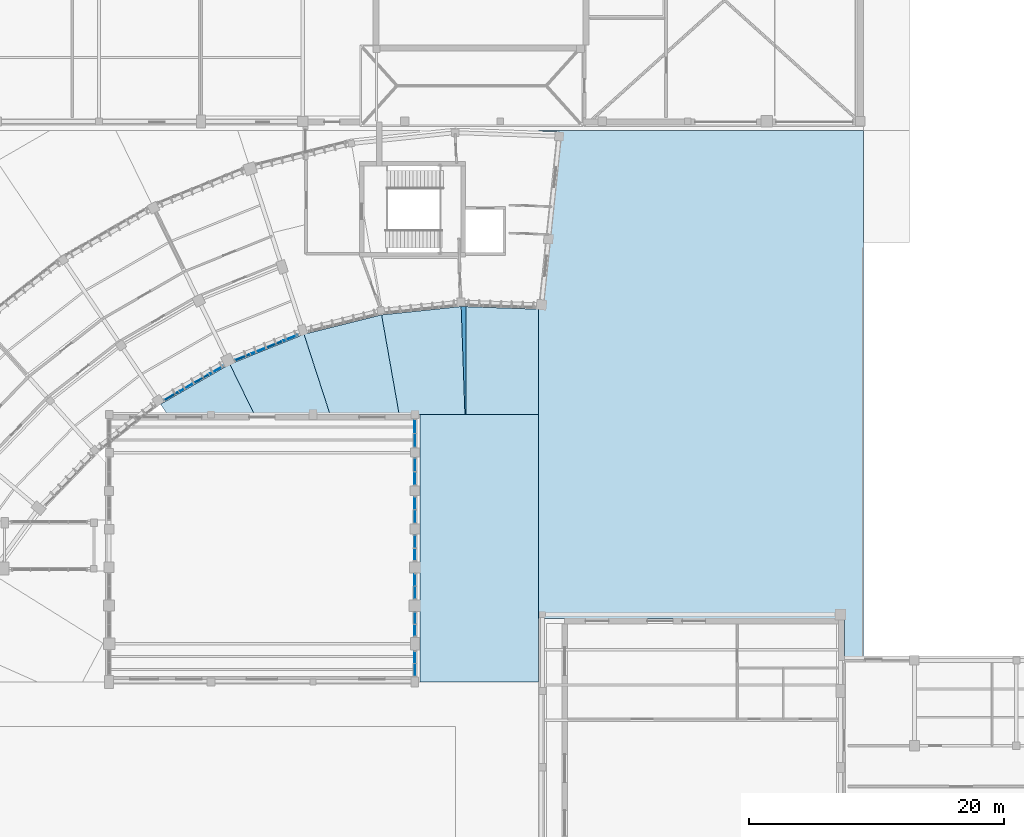
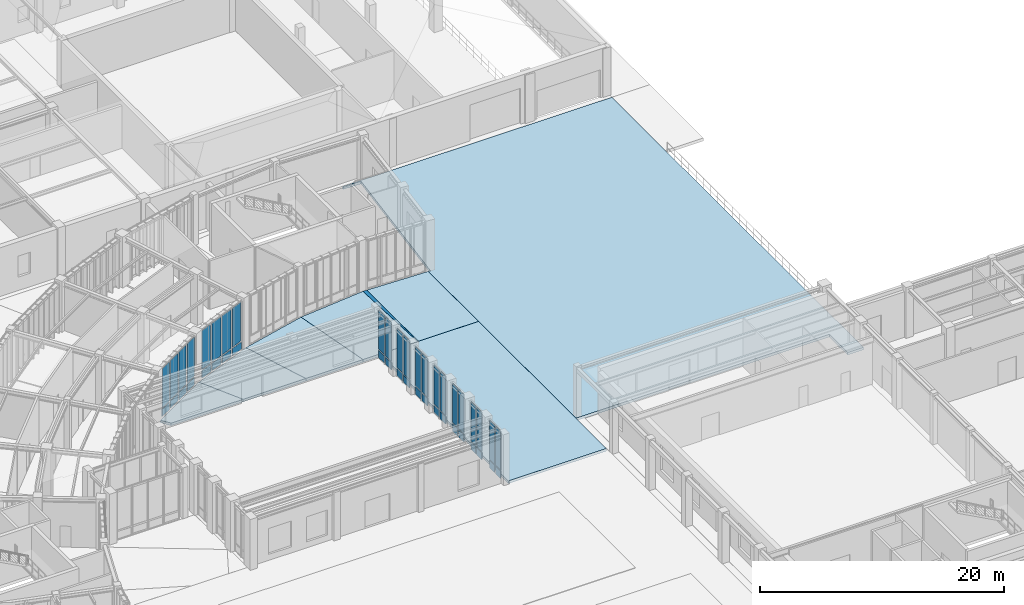
# One storey, part 25 of 68: 44 plates, 8 slabs, 9 elements without a shape of their own.
"""IFC4 building model written with IfcOpenShell, lengths in metres."""

from ifc_helpers import new_model, si_unit, direction, frame, origin, origin_2d, place, context, subcontext, project, spatial, polyline, rectangle, outline, extrude, material, layer, layer_set, type_object, element, aggregate, save


model = new_model("IFC4")

# Units and contexts
model_context = context("Model", 3, precision=1e-05, world=origin(), true_north=direction((0.0, 1.0)))
body_context = subcontext(model_context, "Body", "Model", "MODEL_VIEW")
ifc_project = project(units=[si_unit("LENGTHUNIT", "METRE"), si_unit("AREAUNIT", "SQUARE_METRE"), si_unit("VOLUMEUNIT", "CUBIC_METRE"), si_unit("PLANEANGLEUNIT", "RADIAN"), si_unit("MASSUNIT", "GRAM", prefix="KILO"), si_unit("THERMODYNAMICTEMPERATUREUNIT", "KELVIN"), si_unit("POWERUNIT", "WATT")], contexts=[model_context])

# Site, building, storey
site_placement = place(None, origin())
site = spatial("IfcSite", under=ifc_project, at=site_placement, CompositionType="ELEMENT")
building_placement = place(site_placement, origin())
building = spatial("IfcBuilding", under=site, at=building_placement, Name="Solvatero Civic Police Headquarters", CompositionType="ELEMENT")
storey_placement = place(building_placement, origin())
storey = spatial("IfcBuildingStorey", under=building, at=storey_placement, Name="L00", CompositionType="ELEMENT", Elevation=0.0)

# Curtain wall, plates
ifc_material_1 = material(Name="Anodized Bronze Aluminium", Category="aluminium")
ifc_layer_1 = layer(ifc_material_1, 0.179931640625)
ifc_layer_set_1 = layer_set([ifc_layer_1], Name="Anodized Bronze Aluminium")
curtain_wall_type_1 = type_object("IfcCurtainWallType", Name="CW-ARC-IN", PredefinedType="USERDEFINED", material=ifc_layer_set_1)
curtain_wall_1_placement = place(storey_placement, origin())
curtain_wall_1 = element("IfcCurtainWall", 1, at=curtain_wall_1_placement, inside=storey, type_object=curtain_wall_type_1, Name="Curtain Wall CW-R2-L00-ARC-IN-B04", ObjectType="UNITISED", PredefinedType="USERDEFINED")
ifc_material_2 = material(Name="Triple Low-E Laminated Glass", Category="glass")
ifc_layer_2 = layer(ifc_material_2, 0.0380859375)
ifc_layer_set_2 = layer_set([ifc_layer_2], Name="Triple Low-E Laminated Glass")
plate_type_1 = type_object("IfcPlateType", Name="CWP-GLZ-38", PredefinedType="CURTAIN_PANEL", material=ifc_layer_set_2)
plate_1_placement = place(storey_placement, frame((79.03564453125, 68.4990234375, 0.91015625), z_axis=(0.0, 0.0, 1.0), x_axis=(-0.927183854567, -0.374606593416, 0.0)))
plate_1 = element("IfcPlate", 2, at=plate_1_placement, type_object=plate_type_1, Name="CW-R2-L00-ARC-IN-B04 Vision Glazing 1", PredefinedType="CURTAIN_PANEL", context=body_context, shape_type="SweptSolid", body=[
    extrude(rectangle(XDim=1.175537109375, YDim=0.0380859375, at=origin_2d()), origin(), (0.0, 0.0, 1.0), 3.909912109375),
])
plate_2_placement = place(storey_placement, frame((76.522216796875, 67.4833984375, 0.91015625), z_axis=(0.0, 0.0, 1.0), x_axis=(-0.927183854567, -0.374606593416, 0.0)))
plate_2 = element("IfcPlate", 3, at=plate_2_placement, type_object=plate_type_1, Name="CW-R2-L00-ARC-IN-B04 Vision Glazing 3", PredefinedType="CURTAIN_PANEL", context=body_context, shape_type="SweptSolid", body=[
    extrude(rectangle(XDim=1.175537109375, YDim=0.0380859375, at=origin_2d()), origin(), (0.0, 0.0, 1.0), 3.909912109375),
])

curtain_wall_2_placement = place(storey_placement, origin())
curtain_wall_2 = element("IfcCurtainWall", 4, at=curtain_wall_2_placement, inside=storey, type_object=curtain_wall_type_1, Name="Curtain Wall CW-R2-L00-ARC-IN-B05", ObjectType="UNITISED", PredefinedType="USERDEFINED")
plate_3_placement = place(storey_placement, frame((73.239501953125, 65.9873046875, 0.91015625), z_axis=(0.0, 0.0, 1.0), x_axis=(-0.866025403784, -0.5, 0.0)))
plate_3 = element("IfcPlate", 5, at=plate_3_placement, type_object=plate_type_1, Name="CW-R2-L00-ARC-IN-B05 Vision Glazing 1", PredefinedType="CURTAIN_PANEL", context=body_context, shape_type="SweptSolid", body=[
    extrude(rectangle(XDim=1.18798828125, YDim=0.0380859375, at=origin_2d()), origin(), (0.0, 0.0, 1.0), 3.909912109375),
])
plate_4_placement = place(storey_placement, frame((70.8701171875, 64.619140625, 0.91015625), z_axis=(0.0, 0.0, 1.0), x_axis=(-0.866025403784, -0.5, 0.0)))
plate_4 = element("IfcPlate", 6, at=plate_4_placement, type_object=plate_type_1, Name="CW-R2-L00-ARC-IN-B05 Vision Glazing 3", PredefinedType="CURTAIN_PANEL", context=body_context, shape_type="SweptSolid", body=[
    extrude(rectangle(XDim=1.18798828125, YDim=0.0380859375, at=origin_2d()), origin(), (0.0, 0.0, 1.0), 3.909912109375),
])

# Curtain wall, plate
ifc_layer_3 = layer(ifc_material_1, 0.179931640625)
ifc_layer_set_3 = layer_set([ifc_layer_3], Name="Anodized Bronze Aluminium")
curtain_wall_type_2 = type_object("IfcCurtainWallType", Name="CW-HAL-GLZ", PredefinedType="USERDEFINED", material=ifc_layer_set_3)
curtain_wall_3_placement = place(storey_placement, origin())
curtain_wall_3 = element("IfcCurtainWall", 7, at=curtain_wall_3_placement, inside=storey, type_object=curtain_wall_type_2, Name="Curtain Wall CW-R2-L00-V2-E-B1", ObjectType="UNITISED", PredefinedType="USERDEFINED")
plate_5_placement = place(storey_placement, frame((88.800048828125, 42.445068359375, 0.91015625), z_axis=(0.0, 0.0, 1.0), x_axis=(0.0, 1.0, 0.0)))
plate_5 = element("IfcPlate", 8, at=plate_5_placement, type_object=plate_type_1, Name="CW-R2-L00-V2-E-B1 Vision Glazing 1", PredefinedType="CURTAIN_PANEL", context=body_context, shape_type="SweptSolid", body=[
    extrude(rectangle(XDim=0.830078125, YDim=0.0380859375, at=origin_2d()), origin(), (0.0, 0.0, 1.0), 3.889892578125),
])

curtain_wall_4_placement = place(storey_placement, origin())
curtain_wall_4 = element("IfcCurtainWall", 9, at=curtain_wall_4_placement, inside=storey, type_object=curtain_wall_type_2, Name="Curtain Wall CW-R2-L00-V2-E-B2", ObjectType="UNITISED", PredefinedType="USERDEFINED")
plate_6_placement = place(storey_placement, frame((88.800048828125, 46.517578125, 0.91015625), z_axis=(0.0, 0.0, 1.0), x_axis=(0.0, 1.0, 0.0)))
plate_6 = element("IfcPlate", 10, at=plate_6_placement, type_object=plate_type_1, Name="CW-R2-L00-V2-E-B2 Vision Glazing 2", PredefinedType="CURTAIN_PANEL", context=body_context, shape_type="SweptSolid", body=[
    extrude(rectangle(XDim=0.804931640625, YDim=0.0380859375, at=origin_2d()), origin(), (0.0, 0.0, 1.0), 3.889892578125),
])

curtain_wall_5_placement = place(storey_placement, origin())
curtain_wall_5 = element("IfcCurtainWall", 11, at=curtain_wall_5_placement, inside=storey, type_object=curtain_wall_type_2, Name="Curtain Wall CW-R2-L00-V2-E-B3", ObjectType="UNITISED", PredefinedType="USERDEFINED")
plate_7_placement = place(storey_placement, frame((88.800048828125, 48.501220703125, 0.91015625), z_axis=(0.0, 0.0, 1.0), x_axis=(0.0, 1.0, 0.0)))
plate_7 = element("IfcPlate", 12, at=plate_7_placement, type_object=plate_type_1, Name="CW-R2-L00-V2-E-B3 Vision Glazing 1", PredefinedType="CURTAIN_PANEL", context=body_context, shape_type="SweptSolid", body=[
    extrude(rectangle(XDim=0.842529296875, YDim=0.0380859375, at=origin_2d()), origin(), (0.0, 0.0, 1.0), 3.889892578125),
])

curtain_wall_6_placement = place(storey_placement, origin())
curtain_wall_6 = element("IfcCurtainWall", 13, at=curtain_wall_6_placement, inside=storey, type_object=curtain_wall_type_2, Name="Curtain Wall CW-R2-L00-V2-E-B4", ObjectType="UNITISED", PredefinedType="USERDEFINED")
plate_8_placement = place(storey_placement, frame((88.800048828125, 52.536376953125, 0.91015625), z_axis=(0.0, 0.0, 1.0), x_axis=(0.0, 1.0, 0.0)))
plate_8 = element("IfcPlate", 14, at=plate_8_placement, type_object=plate_type_1, Name="CW-R2-L00-V2-E-B4 Vision Glazing 2", PredefinedType="CURTAIN_PANEL", context=body_context, shape_type="SweptSolid", body=[
    extrude(rectangle(XDim=0.867431640625, YDim=0.0380859375, at=origin_2d()), origin(), (0.0, 0.0, 1.0), 3.889892578125),
])

curtain_wall_7_placement = place(storey_placement, origin())
curtain_wall_7 = element("IfcCurtainWall", 15, at=curtain_wall_7_placement, inside=storey, type_object=curtain_wall_type_2, Name="Curtain Wall CW-R2-L00-V2-E-B5", ObjectType="UNITISED", PredefinedType="USERDEFINED")
plate_9_placement = place(storey_placement, frame((88.800048828125, 54.476318359375, 0.91015625), z_axis=(0.0, 0.0, 1.0), x_axis=(0.0, 1.0, 0.0)))
plate_9 = element("IfcPlate", 16, at=plate_9_placement, type_object=plate_type_1, Name="CW-R2-L00-V2-E-B5 Vision Glazing 1", PredefinedType="CURTAIN_PANEL", context=body_context, shape_type="SweptSolid", body=[
    extrude(rectangle(XDim=0.892578125, YDim=0.0380859375, at=origin_2d()), origin(), (0.0, 0.0, 1.0), 3.889892578125),
])

curtain_wall_8_placement = place(storey_placement, origin())
curtain_wall_8 = element("IfcCurtainWall", 17, at=curtain_wall_8_placement, inside=storey, type_object=curtain_wall_type_2, Name="Curtain Wall CW-R2-L00-V2-E-B6", ObjectType="UNITISED", PredefinedType="USERDEFINED")
plate_10_placement = place(storey_placement, frame((88.800048828125, 58.561279296875, 0.91015625), z_axis=(0.0, 0.0, 1.0), x_axis=(0.0, 1.0, 0.0)))
plate_10 = element("IfcPlate", 18, at=plate_10_placement, type_object=plate_type_1, Name="CW-R2-L00-V2-E-B6 Vision Glazing 2", PredefinedType="CURTAIN_PANEL", context=body_context, shape_type="SweptSolid", body=[
    extrude(rectangle(XDim=0.91748046875, YDim=0.0380859375, at=origin_2d()), origin(), (0.0, 0.0, 1.0), 3.889892578125),
])

curtain_wall_9_placement = place(storey_placement, origin())
curtain_wall_9 = element("IfcCurtainWall", 19, at=curtain_wall_9_placement, inside=storey, type_object=curtain_wall_type_2, Name="Curtain Wall CW-R2-L00-V2-E-B7", ObjectType="UNITISED", PredefinedType="USERDEFINED")
plate_11_placement = place(storey_placement, frame((88.800048828125, 60.451416015625, 0.91015625), z_axis=(0.0, 0.0, 1.0), x_axis=(0.0, 1.0, 0.0)))
plate_11 = element("IfcPlate", 20, at=plate_11_placement, type_object=plate_type_1, Name="CW-R2-L00-V2-E-B7 Vision Glazing 1", PredefinedType="CURTAIN_PANEL", context=body_context, shape_type="SweptSolid", body=[
    extrude(rectangle(XDim=0.9423828125, YDim=0.0380859375, at=origin_2d()), origin(), (0.0, 0.0, 1.0), 3.889892578125),
])

# Plate
ifc_material_3 = material(Name="Acoustic Ballistic Laminated Glass", Category="glass")
ifc_layer_4 = layer(ifc_material_3, 0.0439453125)
ifc_layer_set_4 = layer_set([ifc_layer_4], Name="Acoustic Ballistic Laminated Glass")
plate_type_2 = type_object("IfcPlateType", Name="CWP-GLZ-44", PredefinedType="CURTAIN_PANEL", material=ifc_layer_set_4)
plate_12_placement = place(storey_placement, frame((77.77880859375, 67.9912109375, 0.91015625), z_axis=(0.0, 0.0, 1.0), x_axis=(-0.927183854567, -0.374606593416, 0.0)))
plate_12 = element("IfcPlate", 21, at=plate_12_placement, type_object=plate_type_2, Name="CW-R2-L00-ARC-IN-B04 Vision Glazing 2", PredefinedType="CURTAIN_PANEL", context=body_context, shape_type="SweptSolid", body=[
    extrude(rectangle(XDim=1.175537109375, YDim=0.0439453125, at=origin_2d()), origin(), (0.0, 0.0, 1.0), 3.909912109375),
])

plate_13_placement = place(storey_placement, frame((75.265380859375, 66.9755859375, 0.91015625), z_axis=(0.0, 0.0, 1.0), x_axis=(-0.927183854567, -0.374606593416, 0.0)))
plate_13 = element("IfcPlate", 22, at=plate_13_placement, type_object=plate_type_2, Name="CW-R2-L00-ARC-IN-B04 Vision Glazing 4", PredefinedType="CURTAIN_PANEL", context=body_context, shape_type="SweptSolid", body=[
    extrude(rectangle(XDim=1.175537109375, YDim=0.0439453125, at=origin_2d()), origin(), (0.0, 0.0, 1.0), 3.909912109375),
])

plate_14_placement = place(storey_placement, frame((72.0546875, 65.30322265625, 0.91015625), z_axis=(0.0, 0.0, 1.0), x_axis=(-0.866025403784, -0.5, 0.0)))
plate_14 = element("IfcPlate", 23, at=plate_14_placement, type_object=plate_type_2, Name="CW-R2-L00-ARC-IN-B05 Vision Glazing 2", PredefinedType="CURTAIN_PANEL", context=body_context, shape_type="SweptSolid", body=[
    extrude(rectangle(XDim=1.18798828125, YDim=0.0439453125, at=origin_2d()), origin(), (0.0, 0.0, 1.0), 3.909912109375),
])

plate_15_placement = place(storey_placement, frame((69.685302734375, 63.935302734375, 0.91015625), z_axis=(0.0, 0.0, 1.0), x_axis=(-0.866025403784, -0.5, 0.0)))
plate_15 = element("IfcPlate", 24, at=plate_15_placement, type_object=plate_type_2, Name="CW-R2-L00-ARC-IN-B05 Vision Glazing 4", PredefinedType="CURTAIN_PANEL", context=body_context, shape_type="SweptSolid", body=[
    extrude(rectangle(XDim=1.18798828125, YDim=0.0439453125, at=origin_2d()), origin(), (0.0, 0.0, 1.0), 3.909912109375),
])

plate_16_placement = place(storey_placement, frame((88.800048828125, 43.455078125, 0.91015625), z_axis=(0.0, 0.0, 1.0), x_axis=(0.0, 1.0, 0.0)))
plate_16 = element("IfcPlate", 25, at=plate_16_placement, type_object=plate_type_2, Name="CW-R2-L00-V2-E-B1 Vision Glazing 2", PredefinedType="CURTAIN_PANEL", context=body_context, shape_type="SweptSolid", body=[
    extrude(rectangle(XDim=0.830078125, YDim=0.0439453125, at=origin_2d()), origin(), (0.0, 0.0, 1.0), 3.889892578125),
])

plate_17_placement = place(storey_placement, frame((88.800048828125, 45.532470703125, 0.91015625), z_axis=(0.0, 0.0, 1.0), x_axis=(0.0, 1.0, 0.0)))
plate_17 = element("IfcPlate", 26, at=plate_17_placement, type_object=plate_type_2, Name="CW-R2-L00-V2-E-B2 Vision Glazing 1", PredefinedType="CURTAIN_PANEL", context=body_context, shape_type="SweptSolid", body=[
    extrude(rectangle(XDim=0.804931640625, YDim=0.0439453125, at=origin_2d()), origin(), (0.0, 0.0, 1.0), 3.889892578125),
])

plate_18_placement = place(storey_placement, frame((88.800048828125, 49.523681640625, 0.91015625), z_axis=(0.0, 0.0, 1.0), x_axis=(0.0, 1.0, 0.0)))
plate_18 = element("IfcPlate", 27, at=plate_18_placement, type_object=plate_type_2, Name="CW-R2-L00-V2-E-B3 Vision Glazing 2", PredefinedType="CURTAIN_PANEL", context=body_context, shape_type="SweptSolid", body=[
    extrude(rectangle(XDim=0.842529296875, YDim=0.0439453125, at=origin_2d()), origin(), (0.0, 0.0, 1.0), 3.889892578125),
])

plate_19_placement = place(storey_placement, frame((88.800048828125, 51.48876953125, 0.91015625), z_axis=(0.0, 0.0, 1.0), x_axis=(0.0, 1.0, 0.0)))
plate_19 = element("IfcPlate", 28, at=plate_19_placement, type_object=plate_type_2, Name="CW-R2-L00-V2-E-B4 Vision Glazing 1", PredefinedType="CURTAIN_PANEL", context=body_context, shape_type="SweptSolid", body=[
    extrude(rectangle(XDim=0.867431640625, YDim=0.0439453125, at=origin_2d()), origin(), (0.0, 0.0, 1.0), 3.889892578125),
])

plate_20_placement = place(storey_placement, frame((88.800048828125, 55.548583984375, 0.91015625), z_axis=(0.0, 0.0, 1.0), x_axis=(0.0, 1.0, 0.0)))
plate_20 = element("IfcPlate", 29, at=plate_20_placement, type_object=plate_type_2, Name="CW-R2-L00-V2-E-B5 Vision Glazing 2", PredefinedType="CURTAIN_PANEL", context=body_context, shape_type="SweptSolid", body=[
    extrude(rectangle(XDim=0.892578125, YDim=0.0439453125, at=origin_2d()), origin(), (0.0, 0.0, 1.0), 3.889892578125),
])

plate_21_placement = place(storey_placement, frame((88.800048828125, 57.463623046875, 0.91015625), z_axis=(0.0, 0.0, 1.0), x_axis=(0.0, 1.0, 0.0)))
plate_21 = element("IfcPlate", 30, at=plate_21_placement, type_object=plate_type_2, Name="CW-R2-L00-V2-E-B6 Vision Glazing 1", PredefinedType="CURTAIN_PANEL", context=body_context, shape_type="SweptSolid", body=[
    extrude(rectangle(XDim=0.91748046875, YDim=0.0439453125, at=origin_2d()), origin(), (0.0, 0.0, 1.0), 3.889892578125),
])

plate_22_placement = place(storey_placement, frame((88.800048828125, 61.57373046875, 0.91015625), z_axis=(0.0, 0.0, 1.0), x_axis=(0.0, 1.0, 0.0)))
plate_22 = element("IfcPlate", 31, at=plate_22_placement, type_object=plate_type_2, Name="CW-R2-L00-V2-E-B7 Vision Glazing 2", PredefinedType="CURTAIN_PANEL", context=body_context, shape_type="SweptSolid", body=[
    extrude(rectangle(XDim=0.9423828125, YDim=0.0439453125, at=origin_2d()), origin(), (0.0, 0.0, 1.0), 3.889892578125),
])

ifc_material_4 = material(Name="Insulated Bronze Aluminium Spandrel", Category="aluminium")
ifc_layer_5 = layer(ifc_material_4, 0.06005859375)
ifc_layer_set_5 = layer_set([ifc_layer_5], Name="Insulated Bronze Aluminium Spandrel")
plate_type_3 = type_object("IfcPlateType", Name="CWP-SPN-60", PredefinedType="CURTAIN_PANEL", material=ifc_layer_set_5)
plate_23_placement = place(storey_placement, frame((79.03564453125, 68.4990234375, 0.06005859375), z_axis=(0.0, 0.0, 1.0), x_axis=(-0.927183854567, -0.374606593416, 0.0)))
plate_23 = element("IfcPlate", 32, at=plate_23_placement, type_object=plate_type_3, Name="CW-R2-L00-ARC-IN-B04 Spandrel Panel 1", PredefinedType="CURTAIN_PANEL", context=body_context, shape_type="SweptSolid", body=[
    extrude(rectangle(XDim=1.175537109375, YDim=0.06005859375, at=origin_2d()), origin(), (0.0, 0.0, 1.0), 0.72998046875),
])

plate_24_placement = place(storey_placement, frame((76.522216796875, 67.4833984375, 0.06005859375), z_axis=(0.0, 0.0, 1.0), x_axis=(-0.927183854567, -0.374606593416, 0.0)))
plate_24 = element("IfcPlate", 33, at=plate_24_placement, type_object=plate_type_3, Name="CW-R2-L00-ARC-IN-B04 Spandrel Panel 3", PredefinedType="CURTAIN_PANEL", context=body_context, shape_type="SweptSolid", body=[
    extrude(rectangle(XDim=1.175537109375, YDim=0.06005859375, at=origin_2d()), origin(), (0.0, 0.0, 1.0), 0.72998046875),
])

plate_25_placement = place(storey_placement, frame((73.239501953125, 65.9873046875, 0.06005859375), z_axis=(0.0, 0.0, 1.0), x_axis=(-0.866025403784, -0.5, 0.0)))
plate_25 = element("IfcPlate", 34, at=plate_25_placement, type_object=plate_type_3, Name="CW-R2-L00-ARC-IN-B05 Spandrel Panel 1", PredefinedType="CURTAIN_PANEL", context=body_context, shape_type="SweptSolid", body=[
    extrude(rectangle(XDim=1.18798828125, YDim=0.06005859375, at=origin_2d()), origin(), (0.0, 0.0, 1.0), 0.72998046875),
])

plate_26_placement = place(storey_placement, frame((70.8701171875, 64.619140625, 0.06005859375), z_axis=(0.0, 0.0, 1.0), x_axis=(-0.866025403784, -0.5, 0.0)))
plate_26 = element("IfcPlate", 35, at=plate_26_placement, type_object=plate_type_3, Name="CW-R2-L00-ARC-IN-B05 Spandrel Panel 3", PredefinedType="CURTAIN_PANEL", context=body_context, shape_type="SweptSolid", body=[
    extrude(rectangle(XDim=1.18798828125, YDim=0.06005859375, at=origin_2d()), origin(), (0.0, 0.0, 1.0), 0.72998046875),
])

plate_27_placement = place(storey_placement, frame((88.800048828125, 42.445068359375, 0.06005859375), z_axis=(0.0, 0.0, 1.0), x_axis=(0.0, 1.0, 0.0)))
plate_27 = element("IfcPlate", 36, at=plate_27_placement, type_object=plate_type_3, Name="CW-R2-L00-V2-E-B1 Spandrel Panel 1", PredefinedType="CURTAIN_PANEL", context=body_context, shape_type="SweptSolid", body=[
    extrude(rectangle(XDim=0.830078125, YDim=0.06005859375, at=origin_2d()), origin(), (0.0, 0.0, 1.0), 0.72998046875),
])

plate_28_placement = place(storey_placement, frame((88.800048828125, 46.517578125, 0.06005859375), z_axis=(0.0, 0.0, 1.0), x_axis=(0.0, 1.0, 0.0)))
plate_28 = element("IfcPlate", 37, at=plate_28_placement, type_object=plate_type_3, Name="CW-R2-L00-V2-E-B2 Spandrel Panel 2", PredefinedType="CURTAIN_PANEL", context=body_context, shape_type="SweptSolid", body=[
    extrude(rectangle(XDim=0.804931640625, YDim=0.06005859375, at=origin_2d()), origin(), (0.0, 0.0, 1.0), 0.72998046875),
])

plate_29_placement = place(storey_placement, frame((88.800048828125, 48.501220703125, 0.06005859375), z_axis=(0.0, 0.0, 1.0), x_axis=(0.0, 1.0, 0.0)))
plate_29 = element("IfcPlate", 38, at=plate_29_placement, type_object=plate_type_3, Name="CW-R2-L00-V2-E-B3 Spandrel Panel 1", PredefinedType="CURTAIN_PANEL", context=body_context, shape_type="SweptSolid", body=[
    extrude(rectangle(XDim=0.842529296875, YDim=0.06005859375, at=origin_2d()), origin(), (0.0, 0.0, 1.0), 0.72998046875),
])

plate_30_placement = place(storey_placement, frame((88.800048828125, 52.536376953125, 0.06005859375), z_axis=(0.0, 0.0, 1.0), x_axis=(0.0, 1.0, 0.0)))
plate_30 = element("IfcPlate", 39, at=plate_30_placement, type_object=plate_type_3, Name="CW-R2-L00-V2-E-B4 Spandrel Panel 2", PredefinedType="CURTAIN_PANEL", context=body_context, shape_type="SweptSolid", body=[
    extrude(rectangle(XDim=0.867431640625, YDim=0.06005859375, at=origin_2d()), origin(), (0.0, 0.0, 1.0), 0.72998046875),
])

plate_31_placement = place(storey_placement, frame((88.800048828125, 54.476318359375, 0.06005859375), z_axis=(0.0, 0.0, 1.0), x_axis=(0.0, 1.0, 0.0)))
plate_31 = element("IfcPlate", 40, at=plate_31_placement, type_object=plate_type_3, Name="CW-R2-L00-V2-E-B5 Spandrel Panel 1", PredefinedType="CURTAIN_PANEL", context=body_context, shape_type="SweptSolid", body=[
    extrude(rectangle(XDim=0.892578125, YDim=0.06005859375, at=origin_2d()), origin(), (0.0, 0.0, 1.0), 0.72998046875),
])

plate_32_placement = place(storey_placement, frame((88.800048828125, 58.561279296875, 0.06005859375), z_axis=(0.0, 0.0, 1.0), x_axis=(0.0, 1.0, 0.0)))
plate_32 = element("IfcPlate", 41, at=plate_32_placement, type_object=plate_type_3, Name="CW-R2-L00-V2-E-B6 Spandrel Panel 2", PredefinedType="CURTAIN_PANEL", context=body_context, shape_type="SweptSolid", body=[
    extrude(rectangle(XDim=0.91748046875, YDim=0.06005859375, at=origin_2d()), origin(), (0.0, 0.0, 1.0), 0.72998046875),
])

plate_33_placement = place(storey_placement, frame((88.800048828125, 60.451416015625, 0.06005859375), z_axis=(0.0, 0.0, 1.0), x_axis=(0.0, 1.0, 0.0)))
plate_33 = element("IfcPlate", 42, at=plate_33_placement, type_object=plate_type_3, Name="CW-R2-L00-V2-E-B7 Spandrel Panel 1", PredefinedType="CURTAIN_PANEL", context=body_context, shape_type="SweptSolid", body=[
    extrude(rectangle(XDim=0.9423828125, YDim=0.06005859375, at=origin_2d()), origin(), (0.0, 0.0, 1.0), 0.72998046875),
])

ifc_material_5 = material(Name="Limestone Veneer Spandrel Panel", Category="masonry")
ifc_layer_6 = layer(ifc_material_5, 0.074951171875)
ifc_layer_set_6 = layer_set([ifc_layer_6], Name="Limestone Veneer Spandrel Panel")
plate_type_4 = type_object("IfcPlateType", Name="CWP-SPN-75", PredefinedType="CURTAIN_PANEL", material=ifc_layer_set_6)
plate_34_placement = place(storey_placement, frame((77.77880859375, 67.9912109375, 0.06005859375), z_axis=(0.0, 0.0, 1.0), x_axis=(-0.927183854567, -0.374606593416, 0.0)))
plate_34 = element("IfcPlate", 43, at=plate_34_placement, type_object=plate_type_4, Name="CW-R2-L00-ARC-IN-B04 Spandrel Panel 2", PredefinedType="CURTAIN_PANEL", context=body_context, shape_type="SweptSolid", body=[
    extrude(rectangle(XDim=1.175537109375, YDim=0.074951171875, at=origin_2d()), origin(), (0.0, 0.0, 1.0), 0.72998046875),
])

plate_35_placement = place(storey_placement, frame((75.265380859375, 66.9755859375, 0.06005859375), z_axis=(0.0, 0.0, 1.0), x_axis=(-0.927183854567, -0.374606593416, 0.0)))
plate_35 = element("IfcPlate", 44, at=plate_35_placement, type_object=plate_type_4, Name="CW-R2-L00-ARC-IN-B04 Spandrel Panel 4", PredefinedType="CURTAIN_PANEL", context=body_context, shape_type="SweptSolid", body=[
    extrude(rectangle(XDim=1.175537109375, YDim=0.074951171875, at=origin_2d()), origin(), (0.0, 0.0, 1.0), 0.72998046875),
])

aggregate(curtain_wall_1, [plate_23, plate_1, plate_34, plate_12, plate_24, plate_2, plate_35, plate_13])

plate_36_placement = place(storey_placement, frame((72.0546875, 65.30322265625, 0.06005859375), z_axis=(0.0, 0.0, 1.0), x_axis=(-0.866025403784, -0.5, 0.0)))
plate_36 = element("IfcPlate", 45, at=plate_36_placement, type_object=plate_type_4, Name="CW-R2-L00-ARC-IN-B05 Spandrel Panel 2", PredefinedType="CURTAIN_PANEL", context=body_context, shape_type="SweptSolid", body=[
    extrude(rectangle(XDim=1.18798828125, YDim=0.074951171875, at=origin_2d()), origin(), (0.0, 0.0, 1.0), 0.72998046875),
])

plate_37_placement = place(storey_placement, frame((69.685302734375, 63.935302734375, 0.06005859375), z_axis=(0.0, 0.0, 1.0), x_axis=(-0.866025403784, -0.5, 0.0)))
plate_37 = element("IfcPlate", 46, at=plate_37_placement, type_object=plate_type_4, Name="CW-R2-L00-ARC-IN-B05 Spandrel Panel 4", PredefinedType="CURTAIN_PANEL", context=body_context, shape_type="SweptSolid", body=[
    extrude(rectangle(XDim=1.18798828125, YDim=0.074951171875, at=origin_2d()), origin(), (0.0, 0.0, 1.0), 0.72998046875),
])

aggregate(curtain_wall_2, [plate_25, plate_3, plate_36, plate_14, plate_26, plate_4, plate_37, plate_15])

plate_38_placement = place(storey_placement, frame((88.800048828125, 43.455078125, 0.06005859375), z_axis=(0.0, 0.0, 1.0), x_axis=(0.0, 1.0, 0.0)))
plate_38 = element("IfcPlate", 47, at=plate_38_placement, type_object=plate_type_4, Name="CW-R2-L00-V2-E-B1 Spandrel Panel 2", PredefinedType="CURTAIN_PANEL", context=body_context, shape_type="SweptSolid", body=[
    extrude(rectangle(XDim=0.830078125, YDim=0.074951171875, at=origin_2d()), origin(), (0.0, 0.0, 1.0), 0.72998046875),
])

aggregate(curtain_wall_3, [plate_27, plate_5, plate_38, plate_16])

plate_39_placement = place(storey_placement, frame((88.800048828125, 45.532470703125, 0.06005859375), z_axis=(0.0, 0.0, 1.0), x_axis=(0.0, 1.0, 0.0)))
plate_39 = element("IfcPlate", 48, at=plate_39_placement, type_object=plate_type_4, Name="CW-R2-L00-V2-E-B2 Spandrel Panel 1", PredefinedType="CURTAIN_PANEL", context=body_context, shape_type="SweptSolid", body=[
    extrude(rectangle(XDim=0.804931640625, YDim=0.074951171875, at=origin_2d()), origin(), (0.0, 0.0, 1.0), 0.72998046875),
])

aggregate(curtain_wall_4, [plate_39, plate_17, plate_28, plate_6])

plate_40_placement = place(storey_placement, frame((88.800048828125, 49.523681640625, 0.06005859375), z_axis=(0.0, 0.0, 1.0), x_axis=(0.0, 1.0, 0.0)))
plate_40 = element("IfcPlate", 49, at=plate_40_placement, type_object=plate_type_4, Name="CW-R2-L00-V2-E-B3 Spandrel Panel 2", PredefinedType="CURTAIN_PANEL", context=body_context, shape_type="SweptSolid", body=[
    extrude(rectangle(XDim=0.842529296875, YDim=0.074951171875, at=origin_2d()), origin(), (0.0, 0.0, 1.0), 0.72998046875),
])

aggregate(curtain_wall_5, [plate_29, plate_7, plate_40, plate_18])

plate_41_placement = place(storey_placement, frame((88.800048828125, 51.48876953125, 0.06005859375), z_axis=(0.0, 0.0, 1.0), x_axis=(0.0, 1.0, 0.0)))
plate_41 = element("IfcPlate", 50, at=plate_41_placement, type_object=plate_type_4, Name="CW-R2-L00-V2-E-B4 Spandrel Panel 1", PredefinedType="CURTAIN_PANEL", context=body_context, shape_type="SweptSolid", body=[
    extrude(rectangle(XDim=0.867431640625, YDim=0.074951171875, at=origin_2d()), origin(), (0.0, 0.0, 1.0), 0.72998046875),
])

aggregate(curtain_wall_6, [plate_41, plate_19, plate_30, plate_8])

plate_42_placement = place(storey_placement, frame((88.800048828125, 55.548583984375, 0.06005859375), z_axis=(0.0, 0.0, 1.0), x_axis=(0.0, 1.0, 0.0)))
plate_42 = element("IfcPlate", 51, at=plate_42_placement, type_object=plate_type_4, Name="CW-R2-L00-V2-E-B5 Spandrel Panel 2", PredefinedType="CURTAIN_PANEL", context=body_context, shape_type="SweptSolid", body=[
    extrude(rectangle(XDim=0.892578125, YDim=0.074951171875, at=origin_2d()), origin(), (0.0, 0.0, 1.0), 0.72998046875),
])

aggregate(curtain_wall_7, [plate_31, plate_9, plate_42, plate_20])

plate_43_placement = place(storey_placement, frame((88.800048828125, 57.463623046875, 0.06005859375), z_axis=(0.0, 0.0, 1.0), x_axis=(0.0, 1.0, 0.0)))
plate_43 = element("IfcPlate", 52, at=plate_43_placement, type_object=plate_type_4, Name="CW-R2-L00-V2-E-B6 Spandrel Panel 1", PredefinedType="CURTAIN_PANEL", context=body_context, shape_type="SweptSolid", body=[
    extrude(rectangle(XDim=0.91748046875, YDim=0.074951171875, at=origin_2d()), origin(), (0.0, 0.0, 1.0), 0.72998046875),
])

aggregate(curtain_wall_8, [plate_43, plate_21, plate_32, plate_10])

plate_44_placement = place(storey_placement, frame((88.800048828125, 61.57373046875, 0.06005859375), z_axis=(0.0, 0.0, 1.0), x_axis=(0.0, 1.0, 0.0)))
plate_44 = element("IfcPlate", 53, at=plate_44_placement, type_object=plate_type_4, Name="CW-R2-L00-V2-E-B7 Spandrel Panel 2", PredefinedType="CURTAIN_PANEL", context=body_context, shape_type="SweptSolid", body=[
    extrude(rectangle(XDim=0.9423828125, YDim=0.074951171875, at=origin_2d()), origin(), (0.0, 0.0, 1.0), 0.72998046875),
])

aggregate(curtain_wall_9, [plate_33, plate_11, plate_44, plate_22])

# Slabs
ifc_material_6 = material(Name="Concrete C35/45", Category="concrete")
ifc_layer_7 = layer(ifc_material_6, 0.260009765625)
ifc_layer_set_7 = layer_set([ifc_layer_7], Name="Concrete C35/45")
slab_type = type_object("IfcSlabType", Name="SLB-TERR-260", PredefinedType="FLOOR", material=ifc_layer_set_7)
slab_1_placement = place(storey_placement, frame((0.0, 0.0, -0.260009765625)))
element("IfcSlab", 54, at=slab_1_placement, inside=storey, type_object=slab_type, Name="L00 Walkable roof terrace slab SLB-L00-COURT-SE", PredefinedType="FLOOR", context=body_context, shape_type="SweptSolid", body=[
    extrude(outline(polyline([(98.5, 62.5), (98.5, 46.501953125), (98.498046875, 46.501953125), (98.498046875, 41.501953125), (89.201904296875, 41.501953125), (89.201904296875, 62.5), (98.5, 62.5)])), origin(), (0.0, 0.0, 1.0), 0.260009765625),
])
slab_2_placement = place(storey_placement, frame((0.0, 0.0, -0.260009765625)))
element("IfcSlab", 55, at=slab_2_placement, inside=storey, type_object=slab_type, Name="L00 Walkable roof terrace slab SLB-L00-COURT-NE", PredefinedType="FLOOR", context=body_context, shape_type="SweptSolid", body=[
    extrude(outline(polyline([(124.0, 84.798095703125), (124.0, 43.501953125), (122.501953125, 43.501953125), (122.501953125, 46.501953125), (98.501953125, 46.501953125), (98.501953125, 62.501953125), (98.5, 62.501953125), (98.5, 70.758544921875), (98.70556640625, 70.75146484375), (100.16943359375, 84.6787109375), (98.5, 84.737060546875), (98.5, 84.798095703125), (124.0, 84.798095703125)])), origin(), (0.0, 0.0, 1.0), 0.260009765625),
])
slab_3_placement = place(storey_placement, frame((0.0, 0.0, -0.260009765625)))
element("IfcSlab", 56, at=slab_3_placement, inside=storey, type_object=slab_type, Name="L00 Walkable roof terrace slab SLB-L00-COURT-N", PredefinedType="FLOOR", context=body_context, shape_type="SweptSolid", body=[
    extrude(outline(polyline([(92.800048828125, 70.957763671875), (98.498046875, 70.7587890625), (98.498046875, 62.501953125), (92.800048828125, 62.501953125), (92.800048828125, 70.957763671875)])), origin(), (0.0, 0.0, 1.0), 0.260009765625),
])
slab_4_placement = place(storey_placement, frame((0.0, 0.0, -0.260009765625)))
element("IfcSlab", 57, at=slab_4_placement, inside=storey, type_object=slab_type, Name="L00 Walkable roof terrace slab SLB-L00-CRIN-B01", PredefinedType="FLOOR", context=body_context, shape_type="SweptSolid", body=[
    extrude(outline(polyline([(92.4296875, 70.970703125), (92.798095703125, 70.957763671875), (92.798095703125, 62.501953125), (92.725341796875, 62.501953125), (92.4296875, 70.970703125)])), origin(), (0.0, 0.0, 1.0), 0.260009765625),
])
slab_5_placement = place(storey_placement, frame((0.0, 0.0, -0.260009765625)))
element("IfcSlab", 58, at=slab_5_placement, inside=storey, type_object=slab_type, Name="L00 Walkable roof terrace slab SLB-L00-CRIN-B02", PredefinedType="FLOOR", context=body_context, shape_type="SweptSolid", body=[
    extrude(outline(polyline([(86.18603515625, 70.314208984375), (92.427490234375, 70.970458984375), (92.723388671875, 62.501953125), (87.563720703125, 62.501953125), (86.18603515625, 70.314208984375)])), origin(), (0.0, 0.0, 1.0), 0.260009765625),
])
slab_6_placement = place(storey_placement, frame((0.0, 0.0, -0.260009765625)))
element("IfcSlab", 59, at=slab_6_placement, inside=storey, type_object=slab_type, Name="L00 Walkable roof terrace slab SLB-L00-CRIN-B03", PredefinedType="FLOOR", context=body_context, shape_type="SweptSolid", body=[
    extrude(outline(polyline([(80.0947265625, 68.795654296875), (86.18408203125, 70.313720703125), (87.561767578125, 62.501953125), (82.139892578125, 62.501953125), (80.0947265625, 68.795654296875)])), origin(), (0.0, 0.0, 1.0), 0.260009765625),
])
slab_7_placement = place(storey_placement, frame((0.0, 0.0, -0.260009765625)))
element("IfcSlab", 60, at=slab_7_placement, inside=storey, type_object=slab_type, Name="L00 Walkable roof terrace slab SLB-L00-CRIN-B04", PredefinedType="FLOOR", context=body_context, shape_type="SweptSolid", body=[
    extrude(outline(polyline([(74.274169921875, 66.44384765625), (80.093017578125, 68.794921875), (82.1376953125, 62.501953125), (76.19677734375, 62.501953125), (74.274169921875, 66.44384765625)])), origin(), (0.0, 0.0, 1.0), 0.260009765625),
])
slab_8_placement = place(storey_placement, frame((0.0, 0.0, -0.260009765625)))
element("IfcSlab", 61, at=slab_8_placement, inside=storey, type_object=slab_type, Name="L00 Walkable roof terrace slab SLB-L00-CRIN-B05", PredefinedType="FLOOR", context=body_context, shape_type="SweptSolid", body=[
    extrude(outline(polyline([(68.83740234375, 63.304931640625), (74.2724609375, 66.44287109375), (76.194580078125, 62.501953125), (69.379150390625, 62.501953125), (68.83740234375, 63.304931640625)])), origin(), (0.0, 0.0, 1.0), 0.260009765625),
])

save(model, "model.ifc")
